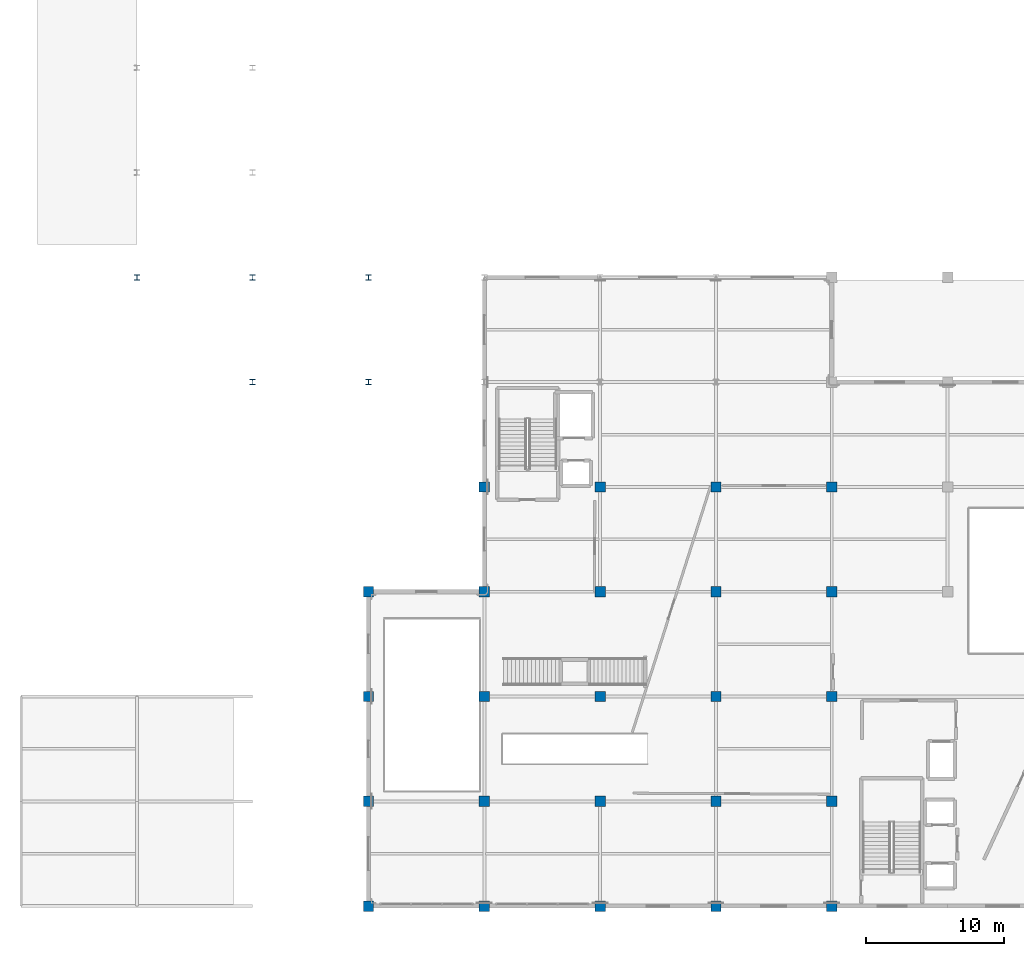
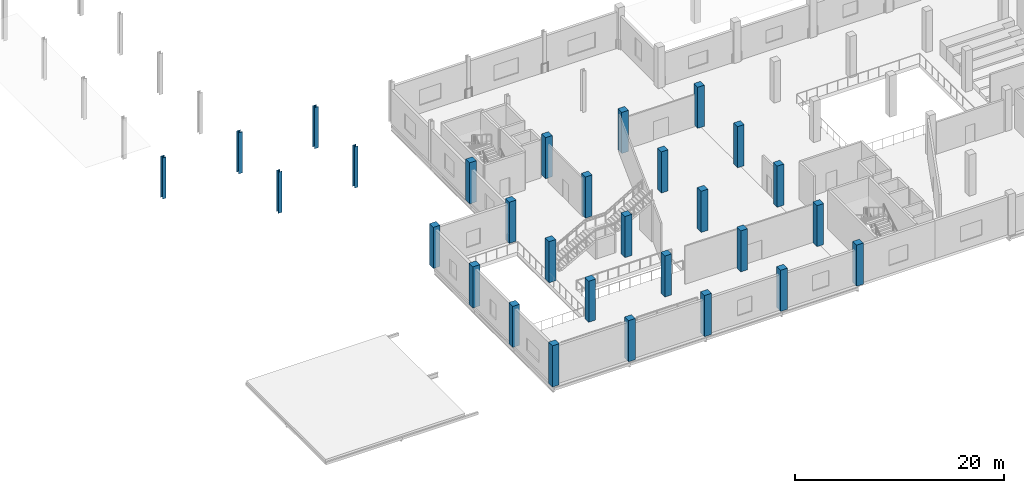
# One storey, part 1 of 51: 29 columns.
"""IFC4 building model written with IfcOpenShell, lengths in metres."""

import ifcopenshell
import ifcopenshell.guid

model = None  # the IFC model being written
_history = None  # IfcOwnerHistory: only IFC2X3 demands one
_inside = {}  # id of a spatial element -> (the spatial element, [elements in it])
_under = {}  # id of a project, library or spatial element -> (it, [spatial elements below it])
_declared = {}  # id of a project -> (the project, [libraries it declares])
_typed = {}  # id of a type object -> (the type object, [elements of that type])
_made_of = {}  # id of a material, layer set ... -> (it, [elements and type objects made of it])


def new_model(schema):
    """Start an empty IFC model of exactly this schema.

    Asked for "IFC4X3", IfcOpenShell would pick the latest addendum, in which some entities
    have other attributes; the version numbers below select the first issue.
    IFC2X3 requires an IfcOwnerHistory on every rooted entity: one is made here for all.
    """
    global model, _history
    if schema == "IFC4X3":
        model = ifcopenshell.file(schema_version=(4, 3, 0, 0))
    else:
        model = ifcopenshell.file(schema=schema)
    _inside.clear()
    _under.clear()
    _declared.clear()
    _typed.clear()
    _made_of.clear()
    _history = None
    if model.schema == "IFC2X3":
        org = make("IfcOrganization", Name="unknown")
        user = make(
            "IfcPersonAndOrganization",
            ThePerson=make("IfcPerson", FamilyName="unknown"),
            TheOrganization=org,
        )
        app = make(
            "IfcApplication",
            ApplicationDeveloper=org,
            Version="unknown",
            ApplicationFullName="unknown",
            ApplicationIdentifier="unknown",
        )
        _history = make(
            "IfcOwnerHistory",
            OwningUser=user,
            OwningApplication=app,
            ChangeAction="ADDED",
            CreationDate=0,
        )
    return model


def make(cls, **values):
    """One entity of the class cls with the attributes given. An attribute that is None is left unset."""
    return model.create_entity(
        cls, **{name: value for name, value in values.items() if value is not None}
    )


def rooted(cls, **values):
    """An entity with a GlobalId (a new one), such as an element, a storey or a relation."""
    return make(cls, GlobalId=ifcopenshell.guid.new(), OwnerHistory=_history, **values)


def si_unit(unit_type, name, prefix=None):
    """IfcSIUnit, for example si_unit("LENGTHUNIT", "METRE", prefix="MILLI")."""
    return make("IfcSIUnit", UnitType=unit_type, Prefix=prefix, Name=name)


def assignment(units):
    """IfcUnitAssignment: the units of a project."""
    return None if units is None else make("IfcUnitAssignment", Units=units)


def point(xyz):
    """IfcCartesianPoint."""
    return None if xyz is None else make("IfcCartesianPoint", Coordinates=xyz)


def direction(xyz):
    """IfcDirection."""
    return None if xyz is None else make("IfcDirection", DirectionRatios=xyz)


def frame(location, z_axis=None, x_axis=None):
    """IfcAxis2Placement3D, a coordinate frame: its origin and axes. An axis left out is left unset."""
    return make(
        "IfcAxis2Placement3D",
        Location=point(location),
        Axis=direction(z_axis),
        RefDirection=direction(x_axis),
    )


def frame_2d(location, x_axis=None):
    """IfcAxis2Placement2D, a coordinate frame in the plane: its origin and x axis."""
    return make(
        "IfcAxis2Placement2D", Location=point(location), RefDirection=direction(x_axis)
    )


def origin():
    """The frame at (0, 0, 0) with its axes left unset."""
    return frame((0.0, 0.0, 0.0))


def origin_2d():
    """The frame at (0, 0) in the plane with its x axis left unset."""
    return frame_2d((0.0, 0.0))


def place(relative_to, where):
    """IfcLocalPlacement: puts the frame where relative to a parent placement (None: the world)."""
    return make(
        "IfcLocalPlacement", PlacementRelTo=relative_to, RelativePlacement=where
    )


def context(
    kind, dimensions, precision=None, world=None, true_north=None, identifier=None
):
    """IfcGeometricRepresentationContext, for example the 3D "Model" context."""
    return make(
        "IfcGeometricRepresentationContext",
        ContextIdentifier=identifier,
        ContextType=kind,
        CoordinateSpaceDimension=dimensions,
        Precision=precision,
        WorldCoordinateSystem=world,
        TrueNorth=true_north,
    )


def subcontext(parent, identifier, kind, view, scale=None):
    """IfcGeometricRepresentationSubContext, for example "Body" below "Model"."""
    return make(
        "IfcGeometricRepresentationSubContext",
        ContextIdentifier=identifier,
        ContextType=kind,
        ParentContext=parent,
        TargetScale=scale,
        TargetView=view,
    )


def project(units=None, contexts=None):
    """IfcProject with its units and contexts."""
    return rooted(
        "IfcProject",
        Name="project",
        RepresentationContexts=contexts,
        UnitsInContext=assignment(units),
    )


def spatial(cls, under=None, at=None, **own):
    """A site, building, storey or space (cls), placed at a placement, below another one or the project."""
    s = rooted(cls, ObjectPlacement=at, **own)
    if under is not None:
        _under.setdefault(under.id(), (under, []))[1].append(s)
    return s


def profile(cls, at=None, kind="AREA", **sizes):
    """A parametric profile (cls). Its sizes go by their IFC names, for example OverallWidth=200.0."""
    return make(cls, ProfileType=kind, Position=at, **sizes)


def rectangle(**sizes):
    """IfcRectangleProfileDef."""
    return profile("IfcRectangleProfileDef", **sizes)


def i_section(**sizes):
    """IfcIShapeProfileDef."""
    return profile("IfcIShapeProfileDef", **sizes)


def extrude(swept, where, along, depth):
    """IfcExtrudedAreaSolid: the profile swept, set in the frame where, extruded along a direction by depth."""
    return make(
        "IfcExtrudedAreaSolid",
        SweptArea=swept,
        Position=where,
        ExtrudedDirection=direction(along),
        Depth=depth,
    )


def shape(context_of_items, identifier, shape_type, items):
    """IfcShapeRepresentation: the items that make up one representation, for example the "Body"."""
    return make(
        "IfcShapeRepresentation",
        ContextOfItems=context_of_items,
        RepresentationIdentifier=identifier,
        RepresentationType=shape_type,
        Items=items,
    )


def material(Name=None, Category=None):
    """IfcMaterial."""
    return make("IfcMaterial", Name=Name, Category=Category)


def material_profile(
    of_material, cross_section, Name=None, Category=None, Priority=None
):
    """IfcMaterialProfile: a cross section and its material."""
    return make(
        "IfcMaterialProfile",
        Name=Name,
        Material=of_material,
        Profile=cross_section,
        Priority=Priority,
        Category=Category,
    )


def profile_set(profiles, Name=None, composite=None):
    """IfcMaterialProfileSet."""
    return make(
        "IfcMaterialProfileSet",
        Name=Name,
        MaterialProfiles=profiles,
        CompositeProfile=composite,
    )


def made_of(thing, what):
    """Note that an element or type object is made of a material, layer set ...; save() writes the relation."""
    if what is not None:
        _made_of.setdefault(what.id(), (what, []))[1].append(thing)
    return thing


def type_object(cls, material=None, **own):
    """A type object (cls), such as IfcWallType, which elements share."""
    return made_of(rooted(cls, **own), material)


def element(
    cls,
    number,
    at=None,
    inside=None,
    cuts=None,
    type_object=None,
    material=None,
    context=None,
    identifier="Body",
    shape_type=None,
    held_by="IfcProductDefinitionShape",
    body=None,
    shapes=None,
    **own,
):
    """One element of the class cls, such as IfcWall. Its Tag is "e" and its number.

    at: its placement. inside: the storey or other place that contains it. cuts: it is an
    opening in that element (IfcRelVoidsElement). A single representation is given by context,
    identifier, shape_type and body (its items); several are given by shapes. held_by: the class
    of the entity that holds the representations. save() writes the other relations.
    """
    e = rooted(cls, Tag="e%d" % number, ObjectPlacement=at, **own)
    if body is not None:
        shapes = [shape(context, identifier, shape_type, body)]
    if shapes is not None:
        e.Representation = make(held_by, Representations=shapes)
    if inside is not None:
        _inside.setdefault(inside.id(), (inside, []))[1].append(e)
    if cuts is not None:
        rooted(
            "IfcRelVoidsElement", RelatingBuildingElement=cuts, RelatedOpeningElement=e
        )
    if type_object is not None:
        _typed.setdefault(type_object.id(), (type_object, []))[1].append(e)
    return made_of(e, material)


def aggregate(whole, parts):
    """IfcRelAggregates: a whole, such as a stair, and the parts it consists of."""
    return rooted("IfcRelAggregates", RelatingObject=whole, RelatedObjects=parts)


def save(model, path):
    """Write the relations noted so far, then the file.

    IfcRelAggregates (storeys below a building ...), IfcRelContainedInSpatialStructure (elements
    in a storey), IfcRelDefinesByType, IfcRelAssociatesMaterial and IfcRelDeclares: one each for
    every whole, place, type object, material and project.
    """
    for whole, parts in _under.values():
        aggregate(whole, parts)
    for where, things in _inside.values():
        rooted(
            "IfcRelContainedInSpatialStructure",
            RelatedElements=things,
            RelatingStructure=where,
        )
    for kind, things in _typed.values():
        rooted("IfcRelDefinesByType", RelatedObjects=things, RelatingType=kind)
    for what, things in _made_of.values():
        rooted("IfcRelAssociatesMaterial", RelatedObjects=things, RelatingMaterial=what)
    for by, libraries in _declared.values():
        rooted("IfcRelDeclares", RelatingContext=by, RelatedDefinitions=libraries)
    model.write(path)


model = new_model("IFC4")

# Units and contexts
model_context = context("Model", 3, precision=1e-05, world=origin(), true_north=direction((0.0, 1.0)))
body_context = subcontext(model_context, "Body", "Model", "MODEL_VIEW")
ifc_project = project(units=[si_unit("LENGTHUNIT", "METRE"), si_unit("AREAUNIT", "SQUARE_METRE"), si_unit("VOLUMEUNIT", "CUBIC_METRE"), si_unit("PLANEANGLEUNIT", "RADIAN"), si_unit("MASSUNIT", "GRAM", prefix="KILO")], contexts=[model_context])

# Site, building, storey
site_placement = place(None, origin())
site = spatial("IfcSite", under=ifc_project, at=site_placement, CompositionType="ELEMENT")
building_placement = place(site_placement, origin())
building = spatial("IfcBuilding", under=site, at=building_placement, Name="Zuvorla Pavilion Media Centre", CompositionType="ELEMENT")
storey_placement = place(building_placement, frame((0.0, 0.0, 4.800048828125)))
storey = spatial("IfcBuildingStorey", under=building, at=storey_placement, Name="L01", CompositionType="ELEMENT", Elevation=4.800048828125)

# Columns
ifc_material_1 = material(Name="Concrete C40/50", Category="concrete")
ifc_material_profile_1 = material_profile(ifc_material_1, rectangle(XDim=0.75, YDim=0.75, at=origin_2d()), Name="RC 750x750")
ifc_profile_set_1 = profile_set([ifc_material_profile_1], Name="Concrete C40/50")
column_type_1 = type_object("IfcColumnType", Name="COL-RC750", PredefinedType="COLUMN", material=ifc_profile_set_1)
for number, where, z_axis, x_axis, name in (
    (1, (33.199951171875, 6.0, 0.0), (0.0, 0.0, 1.0), (1.0, 0.0, 0.0), "L01 column C02 9"),
    (2, (41.60009765625, 6.0, 0.0), (0.0, 0.0, 1.0), (1.0, 0.0, 0.0), "L01 column C02 12"),
    (3, (50.0, 6.0, 0.0), (0.0, 0.0, 1.0), (1.0, 0.0, 0.0), "L01 column C02 17"),
    (4, (58.39990234375, 6.0, 0.0), (0.0, 0.0, 1.0), (1.0, 0.0, 0.0), "L01 column C02 22"),
    (5, (66.800048828125, 6.0, 0.0), (0.0, 0.0, 1.0), (1.0, 0.0, 0.0), "L01 column C02 27"),
    (6, (33.199951171875, 13.60009765625, 0.0), (0.0, 0.0, 1.0), (1.0, 0.0, 0.0), "L01 column C02 107"),
    (7, (41.60009765625, 13.60009765625, 0.0), (0.0, 0.0, 1.0), (1.0, 0.0, 0.0), "L01 column C02 110"),
    (8, (50.0, 13.60009765625, 0.0), (0.0, 0.0, 1.0), (1.0, 0.0, 0.0), "L01 column C02 115"),
    (9, (58.39990234375, 13.60009765625, 0.0), (0.0, 0.0, 1.0), (1.0, 0.0, 0.0), "L01 column C02 120"),
    (10, (66.800048828125, 13.60009765625, 0.0), (0.0, 0.0, 1.0), (1.0, 0.0, 0.0), "L01 column C02 125"),
    (11, (33.199951171875, 21.199951171875, 0.0), (0.0, 0.0, 1.0), (1.0, 0.0, 0.0), "L01 column C02 205"),
    (12, (41.60009765625, 21.199951171875, 0.0), (0.0, 0.0, 1.0), (1.0, 0.0, 0.0), "L01 column C02 208"),
    (13, (50.0, 21.199951171875, 0.0), (0.0, 0.0, 1.0), (1.0, 0.0, 0.0), "L01 column C02 214"),
    (14, (58.39990234375, 21.199951171875, 0.0), (0.0, 0.0, 1.0), (1.0, 0.0, 0.0), "L01 column C02 220"),
    (15, (66.800048828125, 21.199951171875, 0.0), (0.0, 0.0, 1.0), (1.0, 0.0, 0.0), "L01 column C02 226"),
    (16, (33.199951171875, 28.800048828125, 0.0), (0.0, 0.0, 1.0), (1.0, 0.0, 0.0), "L01 column C02 292"),
    (17, (41.60009765625, 28.800048828125, 0.0), (0.0, 0.0, 1.0), (1.0, 0.0, 0.0), "L01 column C02 295"),
    (18, (50.0, 28.800048828125, 0.0), (0.0, 0.0, 1.0), (1.0, 0.0, 0.0), "L01 column C02 301"),
    (19, (58.39990234375, 28.800048828125, 0.0), (0.0, 0.0, 1.0), (1.0, 0.0, 0.0), "L01 column C02 307"),
    (20, (66.800048828125, 28.800048828125, 0.0), (0.0, 0.0, 1.0), (1.0, 0.0, 0.0), "L01 column C02 313"),
    (21, (41.60009765625, 36.39990234375, 0.0), (0.0, 0.0, 1.0), (1.0, 0.0, 0.0), "L01 column C02 385"),
    (22, (50.0, 36.39990234375, 0.0), (0.0, 0.0, 1.0), (1.0, 0.0, 0.0), "L01 column C02 391"),
    (23, (58.39990234375, 36.39990234375, 0.0), (0.0, 0.0, 1.0), (1.0, 0.0, 0.0), "L01 column C02 397"),
    (24, (66.800048828125, 36.39990234375, 0.0), (0.0, 0.0, 1.0), (1.0, 0.0, 0.0), "L01 column C02 403"),
):
    element("IfcColumn", number, at=place(storey_placement, frame(where, z_axis=z_axis, x_axis=x_axis)), inside=storey, type_object=column_type_1, Name=name, PredefinedType="COLUMN", context=body_context, shape_type="SweptSolid", body=[
        extrude(rectangle(XDim=0.75, YDim=0.75, at=origin_2d()), origin(), (0.0, 0.0, 1.0), 4.800048828125),
    ])
ifc_material_2 = material(Name="Steel S355", Category="steel")
ifc_material_profile_2 = material_profile(ifc_material_2, i_section(OverallWidth=0.39892578125, OverallDepth=0.3935546875, WebThickness=0.022705078125, FlangeThickness=0.03662109375, FilletRadius=0.01513671875, at=origin_2d()), Name="UC 356x406x287")
ifc_profile_set_2 = profile_set([ifc_material_profile_2], Name="Steel S355")
column_type_2 = type_object("IfcColumnType", Name="COL-UC356H", PredefinedType="COLUMN", material=ifc_profile_set_2)
for number, where, z_axis, x_axis, name in (
    (25, (24.800048828125, 44.0, 0.0), (0.0, 0.0, 1.0), (1.0, 0.0, 0.0), "L01 column C08 481"),
    (26, (33.199951171875, 44.0, 0.0), (0.0, 0.0, 1.0), (1.0, 0.0, 0.0), "L01 column C08 486"),
    (27, (16.39990234375, 51.60009765625, 0.0), (0.0, 0.0, 1.0), (1.0, 0.0, 0.0), "L01 column C08 575"),
    (28, (24.800048828125, 51.60009765625, 0.0), (0.0, 0.0, 1.0), (1.0, 0.0, 0.0), "L01 column C08 580"),
    (29, (33.199951171875, 51.60009765625, 0.0), (0.0, 0.0, 1.0), (1.0, 0.0, 0.0), "L01 column C08 585"),
):
    element("IfcColumn", number, at=place(storey_placement, frame(where, z_axis=z_axis, x_axis=x_axis)), inside=storey, type_object=column_type_2, Name=name, PredefinedType="COLUMN", context=body_context, shape_type="SweptSolid", body=[
        extrude(i_section(OverallWidth=0.39892578125, OverallDepth=0.3935546875, WebThickness=0.022705078125, FlangeThickness=0.03662109375, FilletRadius=0.01513671875, at=origin_2d()), origin(), (0.0, 0.0, 1.0), 4.800048828125),
    ])

save(model, "model.ifc")
